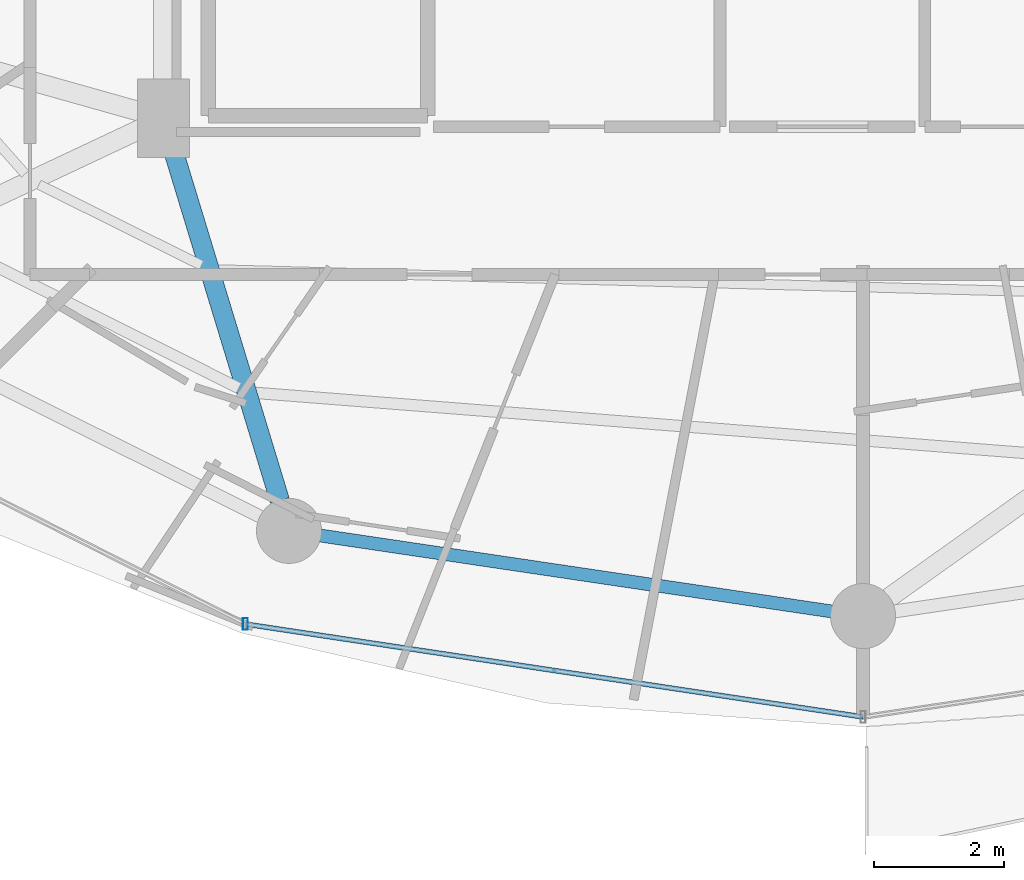
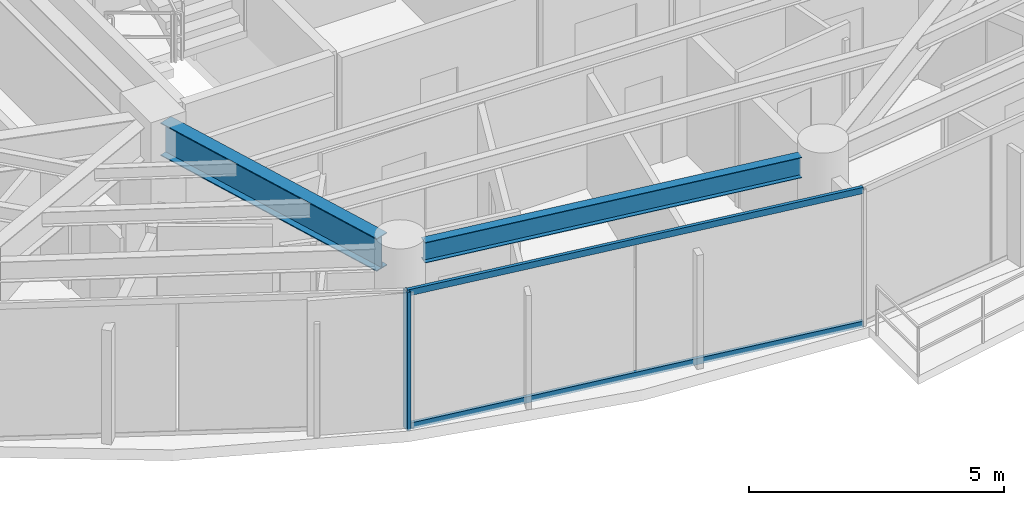
# One storey, part 5 of 31: 3 members, 2 beams, 1 element without a shape of its own.
"""IFC4 building model written with IfcOpenShell, lengths in metres."""

from ifc_helpers import new_model, si_unit, direction, frame, origin, origin_2d, place, context, subcontext, project, spatial, hollow_rectangle, i_section, extrude, material, material_profile, profile_set, type_object, element, aggregate, save


model = new_model("IFC4")

# Units and contexts
model_context = context("Model", 3, precision=1e-05, world=origin(), true_north=direction((0.0, 1.0)))
body_context = subcontext(model_context, "Body", "Model", "MODEL_VIEW")
ifc_project = project(units=[si_unit("LENGTHUNIT", "METRE"), si_unit("AREAUNIT", "SQUARE_METRE"), si_unit("VOLUMEUNIT", "CUBIC_METRE"), si_unit("PLANEANGLEUNIT", "RADIAN"), si_unit("MASSUNIT", "GRAM", prefix="KILO")], contexts=[model_context])

# Site, building, storey
site_placement = place(None, origin())
site = spatial("IfcSite", under=ifc_project, at=site_placement, CompositionType="ELEMENT")
building_placement = place(site_placement, origin())
building = spatial("IfcBuilding", under=site, at=building_placement, Name="Vorneva Point Tower", CompositionType="ELEMENT")
storey_placement = place(building_placement, frame((0.0, 0.0, 136.10009765625)))
storey = spatial("IfcBuildingStorey", under=building, at=storey_placement, Name="L36", CompositionType="ELEMENT", Elevation=136.10009765625)

# Beams
ifc_material_1 = material(Name="Steel S355", Category="steel")
ifc_material_profile_1 = material_profile(ifc_material_1, i_section(OverallWidth=0.300048828125, OverallDepth=0.7880859375, WebThickness=0.014404296875, FlangeThickness=0.02197265625, at=origin_2d()), Name="80Sh1")
ifc_profile_set_1 = profile_set([ifc_material_profile_1], Name="Steel S355")
beam_type_1 = type_object("IfcBeamType", Name="BM-GRD-80Sh1", PredefinedType="USERDEFINED", material=ifc_profile_set_1)
beam_1_placement = place(storey_placement, frame((29.037109375, 10.576171875, 2.845947265625), z_axis=(-0.291049382966, 0.95670803105, 0.0), x_axis=(-0.95670803105, -0.291049382966, 0.0)))
element("IfcBeam", 1, at=beam_1_placement, inside=storey, type_object=beam_type_1, Name="L36 Radial Primary Girder 12", ObjectType="GIRDER", PredefinedType="USERDEFINED", context=body_context, shape_type="SweptSolid", body=[
    extrude(i_section(OverallWidth=0.300048828125, OverallDepth=0.7880859375, WebThickness=0.014404296875, FlangeThickness=0.02197265625, at=origin_2d()), origin(), (0.0, 0.0, 1.0), 5.799560546875),
])
ifc_material_profile_2 = material_profile(ifc_material_1, i_section(OverallWidth=0.199951171875, OverallDepth=0.491943359375, WebThickness=0.0087890625, FlangeThickness=0.011962890625, at=origin_2d()), Name="50B1")
ifc_profile_set_2 = profile_set([ifc_material_profile_2], Name="Steel S355")
beam_type_2 = type_object("IfcBeamType", Name="BM-SPN-50B1", PredefinedType="SPANDREL", material=ifc_profile_set_2)
beam_2_placement = place(storey_placement, frame((29.65869140625, 10.0380859375, 2.993896484375), z_axis=(0.989161199046, -0.146833655211, 0.0), x_axis=(0.146833655211, 0.989161199046, 0.0)))
element("IfcBeam", 2, at=beam_2_placement, inside=storey, type_object=beam_type_2, Name="L36 Perimeter Spandrel Ring Beam 12", PredefinedType="SPANDREL", context=body_context, shape_type="SweptSolid", body=[
    extrude(i_section(OverallWidth=0.199951171875, OverallDepth=0.491943359375, WebThickness=0.0087890625, FlangeThickness=0.011962890625, at=origin_2d()), origin(), (0.0, 0.0, 1.0), 7.94775390625),
])

# Curtain wall, members
ifc_material_2 = material(Name="Pale anodised aluminium", Category="aluminium")
curtain_wall_type = type_object("IfcCurtainWallType", Name="CW-RES-SYS", PredefinedType="NOTDEFINED", material=ifc_material_2)
curtain_wall_placement = place(storey_placement, origin())
curtain_wall = element("IfcCurtainWall", 3, at=curtain_wall_placement, inside=storey, type_object=curtain_wall_type, Name="L36 Unitised Curtain Wall CW-L36-R04", PredefinedType="NOTDEFINED")
ifc_material_profile_3 = material_profile(ifc_material_2, hollow_rectangle(XDim=0.074951171875, YDim=0.179931640625, WallThickness=0.00390625, at=origin_2d()), Name="AL-MUL 180x75x4")
ifc_profile_set_3 = profile_set([ifc_material_profile_3], Name="Pale anodised aluminium")
member_type_1 = type_object("IfcMemberType", Name="CW-MUL-180", PredefinedType="MULLION", material=ifc_profile_set_3)
member_1_placement = place(storey_placement, frame((28.509521484375, 8.67724609375, -0.0400390625), z_axis=(0.0, 0.0, 1.0), x_axis=(1.0, 0.0, 0.0)))
member_1 = element("IfcMember", 4, at=member_1_placement, type_object=member_type_1, Name="CW-L36-R04 Mullion 02", PredefinedType="MULLION", context=body_context, shape_type="SweptSolid", body=[
    extrude(hollow_rectangle(XDim=0.074951171875, YDim=0.179931640625, WallThickness=0.00390625, at=origin_2d()), origin(), (0.0, 0.0, 1.0), 3.31005859375),
])
ifc_material_profile_4 = material_profile(ifc_material_2, hollow_rectangle(XDim=0.074951171875, YDim=0.14990234375, WallThickness=0.00390625, at=origin_2d()), Name="AL-TRN 150x75x4")
ifc_profile_set_4 = profile_set([ifc_material_profile_4], Name="Pale anodised aluminium")
member_type_2 = type_object("IfcMemberType", Name="CW-TRN-150", PredefinedType="USERDEFINED", material=ifc_profile_set_4)
member_2_placement = place(storey_placement, frame((28.509521484375, 8.67724609375, 0.02001953125), z_axis=(0.988880117727, -0.148714870687, 0.0), x_axis=(0.148714870687, 0.988880117727, 0.0)))
member_2 = element("IfcMember", 5, at=member_2_placement, type_object=member_type_2, Name="CW-L36-R04 Transom 02.1", ObjectType="TRANSOM", PredefinedType="USERDEFINED", context=body_context, shape_type="SweptSolid", body=[
    extrude(hollow_rectangle(XDim=0.074951171875, YDim=0.14990234375, WallThickness=0.00390625, at=origin_2d()), origin(), (0.0, 0.0, 1.0), 9.59716796875),
])
member_3_placement = place(storey_placement, frame((28.509521484375, 8.67724609375, 3.219970703125), z_axis=(0.988880117727, -0.148714870687, 0.0), x_axis=(0.148714870687, 0.988880117727, 0.0)))
member_3 = element("IfcMember", 6, at=member_3_placement, type_object=member_type_2, Name="CW-L36-R04 Transom 02.2", ObjectType="TRANSOM", PredefinedType="USERDEFINED", context=body_context, shape_type="SweptSolid", body=[
    extrude(hollow_rectangle(XDim=0.074951171875, YDim=0.14990234375, WallThickness=0.00390625, at=origin_2d()), origin(), (0.0, 0.0, 1.0), 9.59716796875),
])
aggregate(curtain_wall, [member_1, member_2, member_3])

save(model, "model.ifc")
